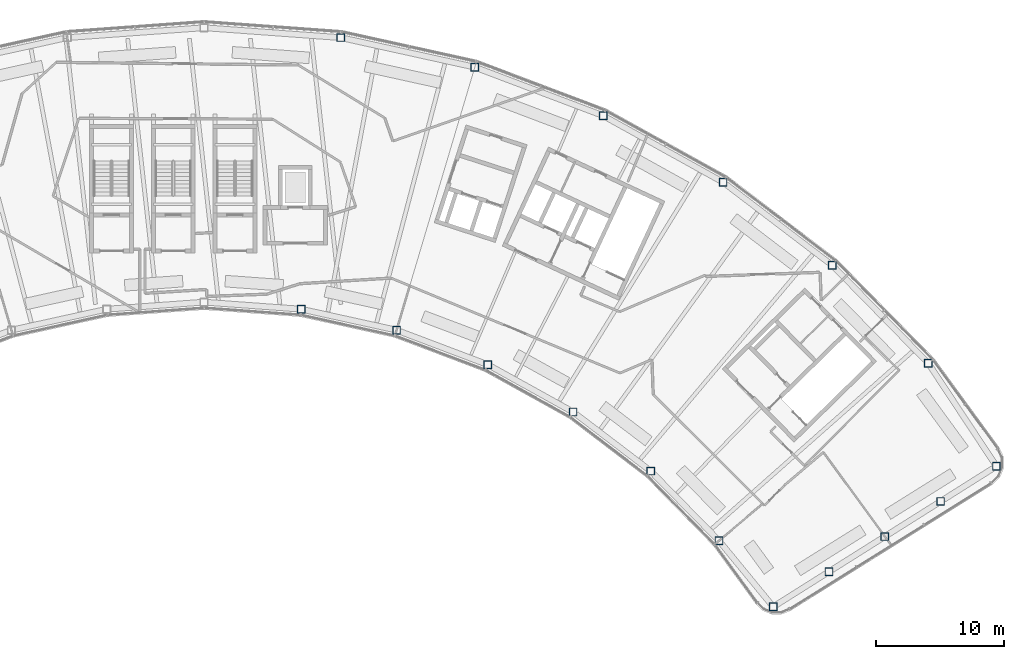
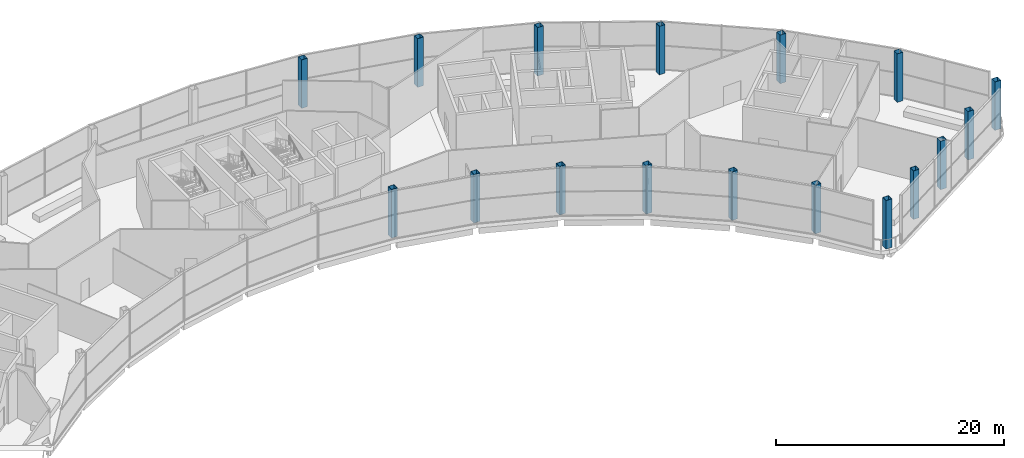
# One storey, part 2 of 44: 17 columns.
"""IFC4 building model written with IfcOpenShell, lengths in metres."""

import ifcopenshell
import ifcopenshell.guid

model = None  # the IFC model being written
_history = None  # IfcOwnerHistory: only IFC2X3 demands one
_inside = {}  # id of a spatial element -> (the spatial element, [elements in it])
_under = {}  # id of a project, library or spatial element -> (it, [spatial elements below it])
_declared = {}  # id of a project -> (the project, [libraries it declares])
_typed = {}  # id of a type object -> (the type object, [elements of that type])
_made_of = {}  # id of a material, layer set ... -> (it, [elements and type objects made of it])


def new_model(schema):
    """Start an empty IFC model of exactly this schema.

    Asked for "IFC4X3", IfcOpenShell would pick the latest addendum, in which some entities
    have other attributes; the version numbers below select the first issue.
    IFC2X3 requires an IfcOwnerHistory on every rooted entity: one is made here for all.
    """
    global model, _history
    if schema == "IFC4X3":
        model = ifcopenshell.file(schema_version=(4, 3, 0, 0))
    else:
        model = ifcopenshell.file(schema=schema)
    _inside.clear()
    _under.clear()
    _declared.clear()
    _typed.clear()
    _made_of.clear()
    _history = None
    if model.schema == "IFC2X3":
        org = make("IfcOrganization", Name="unknown")
        user = make(
            "IfcPersonAndOrganization",
            ThePerson=make("IfcPerson", FamilyName="unknown"),
            TheOrganization=org,
        )
        app = make(
            "IfcApplication",
            ApplicationDeveloper=org,
            Version="unknown",
            ApplicationFullName="unknown",
            ApplicationIdentifier="unknown",
        )
        _history = make(
            "IfcOwnerHistory",
            OwningUser=user,
            OwningApplication=app,
            ChangeAction="ADDED",
            CreationDate=0,
        )
    return model


def make(cls, **values):
    """One entity of the class cls with the attributes given. An attribute that is None is left unset."""
    return model.create_entity(
        cls, **{name: value for name, value in values.items() if value is not None}
    )


def rooted(cls, **values):
    """An entity with a GlobalId (a new one), such as an element, a storey or a relation."""
    return make(cls, GlobalId=ifcopenshell.guid.new(), OwnerHistory=_history, **values)


def si_unit(unit_type, name, prefix=None):
    """IfcSIUnit, for example si_unit("LENGTHUNIT", "METRE", prefix="MILLI")."""
    return make("IfcSIUnit", UnitType=unit_type, Prefix=prefix, Name=name)


def assignment(units):
    """IfcUnitAssignment: the units of a project."""
    return None if units is None else make("IfcUnitAssignment", Units=units)


def point(xyz):
    """IfcCartesianPoint."""
    return None if xyz is None else make("IfcCartesianPoint", Coordinates=xyz)


def direction(xyz):
    """IfcDirection."""
    return None if xyz is None else make("IfcDirection", DirectionRatios=xyz)


def frame(location, z_axis=None, x_axis=None):
    """IfcAxis2Placement3D, a coordinate frame: its origin and axes. An axis left out is left unset."""
    return make(
        "IfcAxis2Placement3D",
        Location=point(location),
        Axis=direction(z_axis),
        RefDirection=direction(x_axis),
    )


def frame_2d(location, x_axis=None):
    """IfcAxis2Placement2D, a coordinate frame in the plane: its origin and x axis."""
    return make(
        "IfcAxis2Placement2D", Location=point(location), RefDirection=direction(x_axis)
    )


def origin():
    """The frame at (0, 0, 0) with its axes left unset."""
    return frame((0.0, 0.0, 0.0))


def origin_2d():
    """The frame at (0, 0) in the plane with its x axis left unset."""
    return frame_2d((0.0, 0.0))


def place(relative_to, where):
    """IfcLocalPlacement: puts the frame where relative to a parent placement (None: the world)."""
    return make(
        "IfcLocalPlacement", PlacementRelTo=relative_to, RelativePlacement=where
    )


def context(
    kind, dimensions, precision=None, world=None, true_north=None, identifier=None
):
    """IfcGeometricRepresentationContext, for example the 3D "Model" context."""
    return make(
        "IfcGeometricRepresentationContext",
        ContextIdentifier=identifier,
        ContextType=kind,
        CoordinateSpaceDimension=dimensions,
        Precision=precision,
        WorldCoordinateSystem=world,
        TrueNorth=true_north,
    )


def subcontext(parent, identifier, kind, view, scale=None):
    """IfcGeometricRepresentationSubContext, for example "Body" below "Model"."""
    return make(
        "IfcGeometricRepresentationSubContext",
        ContextIdentifier=identifier,
        ContextType=kind,
        ParentContext=parent,
        TargetScale=scale,
        TargetView=view,
    )


def project(units=None, contexts=None):
    """IfcProject with its units and contexts."""
    return rooted(
        "IfcProject",
        Name="project",
        RepresentationContexts=contexts,
        UnitsInContext=assignment(units),
    )


def spatial(cls, under=None, at=None, **own):
    """A site, building, storey or space (cls), placed at a placement, below another one or the project."""
    s = rooted(cls, ObjectPlacement=at, **own)
    if under is not None:
        _under.setdefault(under.id(), (under, []))[1].append(s)
    return s


def profile(cls, at=None, kind="AREA", **sizes):
    """A parametric profile (cls). Its sizes go by their IFC names, for example OverallWidth=200.0."""
    return make(cls, ProfileType=kind, Position=at, **sizes)


def hollow_rectangle(**sizes):
    """IfcRectangleHollowProfileDef."""
    return profile("IfcRectangleHollowProfileDef", **sizes)


def extrude(swept, where, along, depth):
    """IfcExtrudedAreaSolid: the profile swept, set in the frame where, extruded along a direction by depth."""
    return make(
        "IfcExtrudedAreaSolid",
        SweptArea=swept,
        Position=where,
        ExtrudedDirection=direction(along),
        Depth=depth,
    )


def shape(context_of_items, identifier, shape_type, items):
    """IfcShapeRepresentation: the items that make up one representation, for example the "Body"."""
    return make(
        "IfcShapeRepresentation",
        ContextOfItems=context_of_items,
        RepresentationIdentifier=identifier,
        RepresentationType=shape_type,
        Items=items,
    )


def material(Name=None, Category=None):
    """IfcMaterial."""
    return make("IfcMaterial", Name=Name, Category=Category)


def material_profile(
    of_material, cross_section, Name=None, Category=None, Priority=None
):
    """IfcMaterialProfile: a cross section and its material."""
    return make(
        "IfcMaterialProfile",
        Name=Name,
        Material=of_material,
        Profile=cross_section,
        Priority=Priority,
        Category=Category,
    )


def profile_set(profiles, Name=None, composite=None):
    """IfcMaterialProfileSet."""
    return make(
        "IfcMaterialProfileSet",
        Name=Name,
        MaterialProfiles=profiles,
        CompositeProfile=composite,
    )


def made_of(thing, what):
    """Note that an element or type object is made of a material, layer set ...; save() writes the relation."""
    if what is not None:
        _made_of.setdefault(what.id(), (what, []))[1].append(thing)
    return thing


def type_object(cls, material=None, **own):
    """A type object (cls), such as IfcWallType, which elements share."""
    return made_of(rooted(cls, **own), material)


def element(
    cls,
    number,
    at=None,
    inside=None,
    cuts=None,
    type_object=None,
    material=None,
    context=None,
    identifier="Body",
    shape_type=None,
    held_by="IfcProductDefinitionShape",
    body=None,
    shapes=None,
    **own,
):
    """One element of the class cls, such as IfcWall. Its Tag is "e" and its number.

    at: its placement. inside: the storey or other place that contains it. cuts: it is an
    opening in that element (IfcRelVoidsElement). A single representation is given by context,
    identifier, shape_type and body (its items); several are given by shapes. held_by: the class
    of the entity that holds the representations. save() writes the other relations.
    """
    e = rooted(cls, Tag="e%d" % number, ObjectPlacement=at, **own)
    if body is not None:
        shapes = [shape(context, identifier, shape_type, body)]
    if shapes is not None:
        e.Representation = make(held_by, Representations=shapes)
    if inside is not None:
        _inside.setdefault(inside.id(), (inside, []))[1].append(e)
    if cuts is not None:
        rooted(
            "IfcRelVoidsElement", RelatingBuildingElement=cuts, RelatedOpeningElement=e
        )
    if type_object is not None:
        _typed.setdefault(type_object.id(), (type_object, []))[1].append(e)
    return made_of(e, material)


def aggregate(whole, parts):
    """IfcRelAggregates: a whole, such as a stair, and the parts it consists of."""
    return rooted("IfcRelAggregates", RelatingObject=whole, RelatedObjects=parts)


def save(model, path):
    """Write the relations noted so far, then the file.

    IfcRelAggregates (storeys below a building ...), IfcRelContainedInSpatialStructure (elements
    in a storey), IfcRelDefinesByType, IfcRelAssociatesMaterial and IfcRelDeclares: one each for
    every whole, place, type object, material and project.
    """
    for whole, parts in _under.values():
        aggregate(whole, parts)
    for where, things in _inside.values():
        rooted(
            "IfcRelContainedInSpatialStructure",
            RelatedElements=things,
            RelatingStructure=where,
        )
    for kind, things in _typed.values():
        rooted("IfcRelDefinesByType", RelatedObjects=things, RelatingType=kind)
    for what, things in _made_of.values():
        rooted("IfcRelAssociatesMaterial", RelatedObjects=things, RelatingMaterial=what)
    for by, libraries in _declared.values():
        rooted("IfcRelDeclares", RelatingContext=by, RelatedDefinitions=libraries)
    model.write(path)


model = new_model("IFC4")

# Units and contexts
model_context = context("Model", 3, precision=1e-05, world=origin(), true_north=direction((0.0, 1.0)))
body_context = subcontext(model_context, "Body", "Model", "MODEL_VIEW")
ifc_project = project(units=[si_unit("LENGTHUNIT", "METRE"), si_unit("AREAUNIT", "SQUARE_METRE"), si_unit("VOLUMEUNIT", "CUBIC_METRE"), si_unit("PLANEANGLEUNIT", "RADIAN"), si_unit("MASSUNIT", "GRAM", prefix="KILO")], contexts=[model_context])

# Site, building, storey
site_placement = place(None, origin())
site = spatial("IfcSite", under=ifc_project, at=site_placement, CompositionType="ELEMENT")
building_placement = place(site_placement, origin())
building = spatial("IfcBuilding", under=site, at=building_placement, Name="Tuul Gate Civic Tower", CompositionType="ELEMENT")
storey_placement = place(building_placement, frame((0.0, 0.0, 354.60009765625)))
storey = spatial("IfcBuildingStorey", under=building, at=storey_placement, Name="Observation level 2", CompositionType="ELEMENT", Elevation=354.60009765625)

# Columns
ifc_material = material(Name="Steel S355", Category="steel")
ifc_material_profile = material_profile(ifc_material, hollow_rectangle(XDim=0.60009765625, YDim=0.60009765625, WallThickness=0.02490234375, at=origin_2d()), Name="BOX600x600x25")
ifc_profile_set = profile_set([ifc_material_profile], Name="Steel S355")
column_type = type_object("IfcColumnType", Name="STR-COLUMN-BOX600x600x25", PredefinedType="COLUMN", material=ifc_profile_set)
for number, where, z_axis, x_axis, name in (
    (1, (63.863037109375, -20.300048828125, 0.0), (0.0, 0.0, 1.0), (1.0, 0.0, 0.0), "Column"),
    (2, (58.56396484375, -12.2880859375, 0.0), (0.0, 0.0, 1.0), (1.0, 0.0, 0.0), "Column"),
    (3, (51.090087890625, -4.6630859375, 0.0), (0.0, 0.0, 1.0), (1.0, 0.0, 0.0), "Column"),
    (4, (42.593994140625, 1.804931640625, 0.0), (0.0, 0.0, 1.0), (1.0, 0.0, 0.0), "Column"),
    (5, (33.256103515625, 6.98193359375, 0.0), (0.0, 0.0, 1.0), (1.0, 0.0, 0.0), "Column"),
    (6, (23.26904296875, 10.758056640625, 0.0), (0.0, 0.0, 1.0), (1.0, 0.0, 0.0), "Column"),
    (7, (12.841064453125, 13.055908203125, 0.0), (0.0, 0.0, 1.0), (1.0, 0.0, 0.0), "Column"),
    (8, (9.763916015625, -8.076904296875, 0.0), (0.0, 0.0, 1.0), (1.0, 0.0, 0.0), "Column"),
    (9, (17.177978515625, -9.7099609375, 0.0), (0.0, 0.0, 1.0), (1.0, 0.0, 0.0), "Column"),
    (10, (24.279052734375, -12.39599609375, 0.0), (0.0, 0.0, 1.0), (1.0, 0.0, 0.0), "Column"),
    (11, (30.9189453125, -16.075927734375, 0.0), (0.0, 0.0, 1.0), (1.0, 0.0, 0.0), "Column"),
    (12, (36.958984375, -20.675048828125, 0.0), (0.0, 0.0, 1.0), (1.0, 0.0, 0.0), "Column"),
    (13, (42.27294921875, -26.096923828125, 0.0), (0.0, 0.0, 1.0), (1.0, 0.0, 0.0), "Column"),
    (14, (46.492919921875, -31.239013671875, 0.0), (0.0, 0.0, 1.0), (1.0, 0.0, 0.0), "Column"),
    (15, (50.8349609375, -28.50390625, 0.0), (0.0, 0.0, 1.0), (1.0, 0.0, 0.0), "Column"),
    (16, (55.177978515625, -25.77001953125, 0.0), (0.0, 0.0, 1.0), (1.0, 0.0, 0.0), "Column"),
    (17, (59.52001953125, -23.034912109375, 0.0), (0.0, 0.0, 1.0), (1.0, 0.0, 0.0), "Column"),
):
    element("IfcColumn", number, at=place(storey_placement, frame(where, z_axis=z_axis, x_axis=x_axis)), inside=storey, type_object=column_type, Name=name, PredefinedType="COLUMN", context=body_context, shape_type="SweptSolid", body=[
        extrude(hollow_rectangle(XDim=0.60009765625, YDim=0.60009765625, WallThickness=0.02490234375, at=origin_2d()), origin(), (0.0, 0.0, 1.0), 5.199951171875),
    ])

save(model, "model.ifc")
